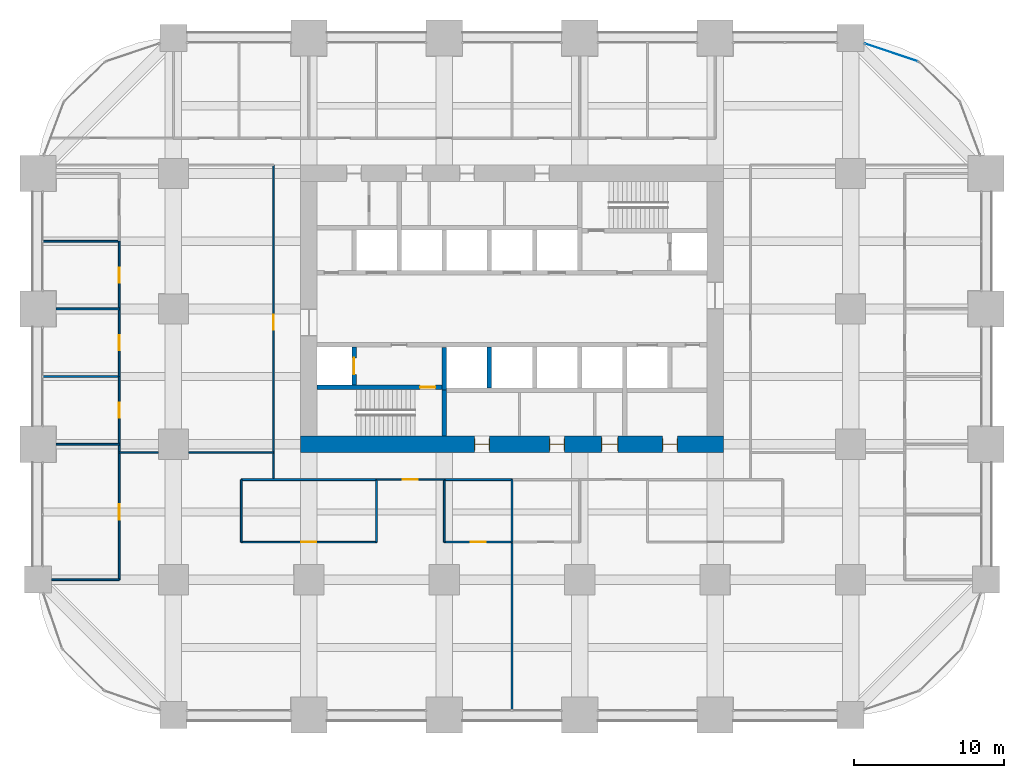
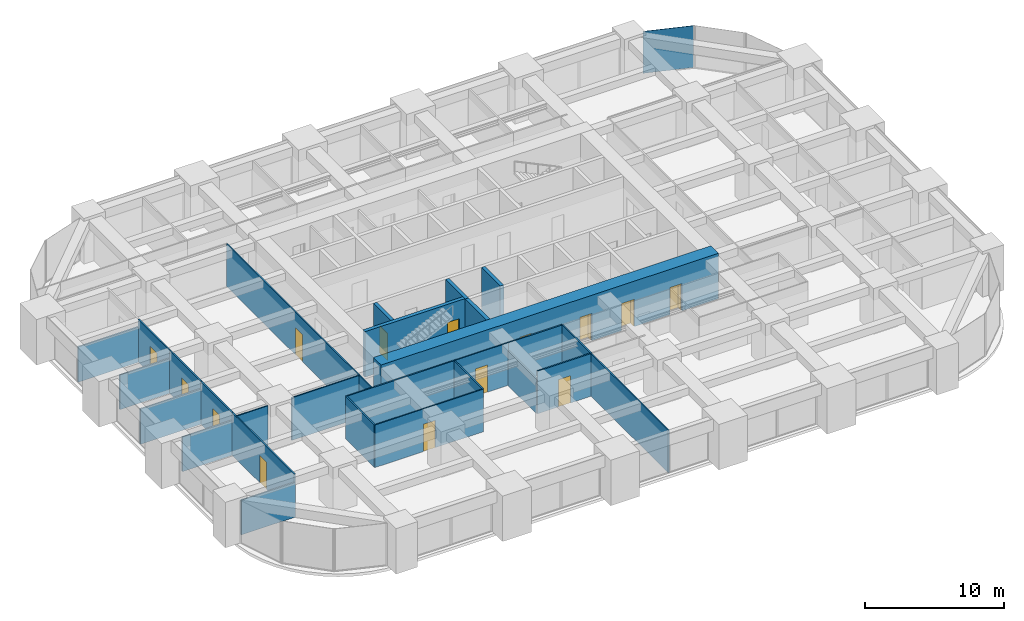
# One storey, part 36 of 41: 28 walls, 14 doors, 1 plate, 14 openings, 1 element without a shape of its own.
"""IFC4 building model written with IfcOpenShell, lengths in metres."""

from ifc_helpers import new_model, si_unit, direction, frame, frame_2d, origin, origin_2d, place, context, subcontext, project, spatial, rectangle, extrude, material, layer, layer_set, type_object, element, fill, aggregate, save


model = new_model("IFC4")

# Units and contexts
model_context = context("Model", 3, precision=1e-05, world=origin(), true_north=direction((0.0, 1.0)))
body_context = subcontext(model_context, "Body", "Model", "MODEL_VIEW")
ifc_project = project(units=[si_unit("LENGTHUNIT", "METRE"), si_unit("AREAUNIT", "SQUARE_METRE"), si_unit("VOLUMEUNIT", "CUBIC_METRE"), si_unit("PLANEANGLEUNIT", "RADIAN"), si_unit("MASSUNIT", "GRAM", prefix="KILO")], contexts=[model_context])

# Site, building, storey
site_placement = place(None, origin())
site = spatial("IfcSite", under=ifc_project, at=site_placement, CompositionType="ELEMENT")
building_placement = place(site_placement, origin())
building = spatial("IfcBuilding", under=site, at=building_placement, Name="Zorevar Civic Tower", CompositionType="ELEMENT")
storey_placement = place(building_placement, frame((0.0, 0.0, 109.0)))
storey = spatial("IfcBuildingStorey", under=building, at=storey_placement, Name="L26", CompositionType="ELEMENT", Elevation=109.0)

# Curtain wall, plate
ifc_material_1 = material(Name="Dark grey solar-control glass in black aluminium frame", Category="aluminium")
curtain_wall_type = type_object("IfcCurtainWallType", Name="Curtain wall CW3 mid zone", PredefinedType="NOTDEFINED", material=ifc_material_1)
curtain_wall_placement = place(storey_placement, origin())
curtain_wall = element("IfcCurtainWall", 1, at=curtain_wall_placement, inside=storey, type_object=curtain_wall_type, Name="CW3 L26", PredefinedType="NOTDEFINED")
ifc_material_2 = material(Name="Dark grey solar-control glass", Category="glass")
ifc_layer_1 = layer(ifc_material_2, 0.030029296875)
ifc_layer_set_1 = layer_set([ifc_layer_1], Name="CW3 panel 30")
plate_type = type_object("IfcPlateType", Name="CW3 panel 30", PredefinedType="CURTAIN_PANEL", material=ifc_layer_set_1)
plate_placement = place(storey_placement, frame((56.7109375, 44.04296875, 0.06005859375), z_axis=(0.0, 0.0, 1.0), x_axis=(-0.947615765406, 0.319412525043, 0.0)))
plate = element("IfcPlate", 2, at=plate_placement, type_object=plate_type, Name="CW3 panel 1.1", PredefinedType="CURTAIN_PANEL", context=body_context, shape_type="SweptSolid", body=[
    extrude(rectangle(XDim=3.7021484375, YDim=0.030029296875, at=origin_2d()), origin(), (0.0, 0.0, 1.0), 3.68994140625),
])
aggregate(curtain_wall, [plate])

# Wall, openings, doors
ifc_material_3 = material(Name="Concrete C50/60", Category="concrete")
ifc_layer_2 = layer(ifc_material_3, 1.10009765625)
ifc_layer_set_2 = layer_set([ifc_layer_2], Name="Core wall 1100")
wall_type_1 = type_object("IfcWallType", Name="Core wall 1100", PredefinedType="SHEAR", material=ifc_layer_set_2)
wall_1_placement = place(storey_placement, frame((17.449951171875, 18.0, 0.0), z_axis=(0.0, 0.0, 1.0), x_axis=(1.0, 0.0, 0.0)))
wall_1 = element("IfcWall", 3, at=wall_1_placement, inside=storey, type_object=wall_type_1, Name="Core wall S L26", PredefinedType="SHEAR", context=body_context, shape_type="SweptSolid", body=[
    extrude(rectangle(XDim=28.10009765625, YDim=1.10009765625, at=frame_2d((14.050048828125, 0.0))), origin(), (0.0, 0.0, 1.0), 4.0),
])
opening_1_placement = place(wall_1_placement, frame((11.550048828125, 0.0, 0.0)))
opening_1 = element("IfcOpeningElement", 4, at=opening_1_placement, cuts=wall_1, Name="Opening L26.03", PredefinedType="OPENING", context=body_context, shape_type="SweptSolid", body=[
    extrude(rectangle(XDim=1.0, YDim=2.39990234375, at=frame_2d((0.5, 1.199951171875))), frame((0.0, 0.56005859375, 0.0), z_axis=(0.0, -1.0, 0.0), x_axis=(1.0, 0.0, 0.0)), (0.0, 0.0, 1.0), 1.1201171875),
])
opening_2_placement = place(wall_1_placement, frame((16.550048828125, 0.0, 0.0)))
opening_2 = element("IfcOpeningElement", 5, at=opening_2_placement, cuts=wall_1, Name="Opening L26.04", PredefinedType="OPENING", context=body_context, shape_type="SweptSolid", body=[
    extrude(rectangle(XDim=1.0, YDim=2.39990234375, at=frame_2d((0.5, 1.199951171875))), frame((0.0, 0.56005859375, 0.0), z_axis=(0.0, -1.0, 0.0), x_axis=(1.0, 0.0, 0.0)), (0.0, 0.0, 1.0), 1.1201171875),
])
opening_3_placement = place(wall_1_placement, frame((20.0, 0.0, 0.0)))
opening_3 = element("IfcOpeningElement", 6, at=opening_3_placement, cuts=wall_1, Name="Opening L26.05", PredefinedType="OPENING", context=body_context, shape_type="SweptSolid", body=[
    extrude(rectangle(XDim=1.10009765625, YDim=2.39990234375, at=frame_2d((0.550048828125, 1.199951171875))), frame((0.0, 0.56005859375, 0.0), z_axis=(0.0, -1.0, 0.0), x_axis=(1.0, 0.0, 0.0)), (0.0, 0.0, 1.0), 1.1201171875),
])
opening_4_placement = place(wall_1_placement, frame((24.050048828125, 0.0, 0.0)))
opening_4 = element("IfcOpeningElement", 7, at=opening_4_placement, cuts=wall_1, Name="Opening L26.06", PredefinedType="OPENING", context=body_context, shape_type="SweptSolid", body=[
    extrude(rectangle(XDim=1.0, YDim=2.39990234375, at=frame_2d((0.5, 1.199951171875))), frame((0.0, 0.56005859375, 0.0), z_axis=(0.0, -1.0, 0.0), x_axis=(1.0, 0.0, 0.0)), (0.0, 0.0, 1.0), 1.1201171875),
])
ifc_material_4 = material(Name="Timber door set", Category="wood")
door_type_1 = type_object("IfcDoorType", Name="Door D1 1000x2400", OperationType="SINGLE_SWING_LEFT", PredefinedType="DOOR", material=ifc_material_4)
door_1_placement = place(opening_1_placement, origin())
door_1 = element("IfcDoor", 8, at=door_1_placement, inside=storey, type_object=door_type_1, Name="Door L26 02", OperationType="SINGLE_SWING_RIGHT", OverallHeight=2.39990234375, OverallWidth=1.0, PredefinedType="DOOR", context=body_context, shape_type="SweptSolid", body=[
    extrude(rectangle(XDim=1.0, YDim=2.39990234375, at=frame_2d((0.5, 1.199951171875))), frame((0.0, 0.02490234375, 0.0), z_axis=(0.0, -1.0, 0.0), x_axis=(1.0, 0.0, 0.0)), (0.0, 0.0, 1.0), 0.050048828125),
    extrude(rectangle(XDim=0.04, YDim=2.39990234375, at=frame_2d((0.02001953125, 1.199951171875))), frame((0.0, 0.39990234375, 0.0), z_axis=(0.0, -1.0, 0.0), x_axis=(1.0, 0.0, 0.0)), (0.0, 0.0, 1.0), 0.800048828125),
    extrude(rectangle(XDim=0.04, YDim=2.39990234375, at=frame_2d((0.97998046875, 1.199951171875))), frame((0.0, 0.39990234375, 0.0), z_axis=(0.0, -1.0, 0.0), x_axis=(1.0, 0.0, 0.0)), (0.0, 0.0, 1.0), 0.800048828125),
    extrude(rectangle(XDim=1.0, YDim=0.04, at=frame_2d((0.5, 2.3798828125))), frame((0.0, 0.39990234375, 0.0), z_axis=(0.0, -1.0, 0.0), x_axis=(1.0, 0.0, 0.0)), (0.0, 0.0, 1.0), 0.800048828125),
])
fill(opening_1, door_1)
door_2_placement = place(opening_2_placement, origin())
door_2 = element("IfcDoor", 9, at=door_2_placement, inside=storey, type_object=door_type_1, Name="Door L26 03", OperationType="SINGLE_SWING_LEFT", OverallHeight=2.39990234375, OverallWidth=1.0, PredefinedType="DOOR", context=body_context, shape_type="SweptSolid", body=[
    extrude(rectangle(XDim=1.0, YDim=2.39990234375, at=frame_2d((0.5, 1.199951171875))), frame((0.0, 0.02490234375, 0.0), z_axis=(0.0, -1.0, 0.0), x_axis=(1.0, 0.0, 0.0)), (0.0, 0.0, 1.0), 0.050048828125),
    extrude(rectangle(XDim=0.04, YDim=2.39990234375, at=frame_2d((0.02001953125, 1.199951171875))), frame((0.0, 0.39990234375, 0.0), z_axis=(0.0, -1.0, 0.0), x_axis=(1.0, 0.0, 0.0)), (0.0, 0.0, 1.0), 0.800048828125),
    extrude(rectangle(XDim=0.04, YDim=2.39990234375, at=frame_2d((0.97998046875, 1.199951171875))), frame((0.0, 0.39990234375, 0.0), z_axis=(0.0, -1.0, 0.0), x_axis=(1.0, 0.0, 0.0)), (0.0, 0.0, 1.0), 0.800048828125),
    extrude(rectangle(XDim=1.0, YDim=0.04, at=frame_2d((0.5, 2.3798828125))), frame((0.0, 0.39990234375, 0.0), z_axis=(0.0, -1.0, 0.0), x_axis=(1.0, 0.0, 0.0)), (0.0, 0.0, 1.0), 0.800048828125),
])
fill(opening_2, door_2)
door_3_placement = place(opening_4_placement, origin())
door_3 = element("IfcDoor", 10, at=door_3_placement, inside=storey, type_object=door_type_1, Name="Door L26 05", OperationType="SINGLE_SWING_LEFT", OverallHeight=2.39990234375, OverallWidth=1.0, PredefinedType="DOOR", context=body_context, shape_type="SweptSolid", body=[
    extrude(rectangle(XDim=1.0, YDim=2.39990234375, at=frame_2d((0.5, 1.199951171875))), frame((0.0, 0.02490234375, 0.0), z_axis=(0.0, -1.0, 0.0), x_axis=(1.0, 0.0, 0.0)), (0.0, 0.0, 1.0), 0.050048828125),
    extrude(rectangle(XDim=0.04, YDim=2.39990234375, at=frame_2d((0.02001953125, 1.199951171875))), frame((0.0, 0.39990234375, 0.0), z_axis=(0.0, -1.0, 0.0), x_axis=(1.0, 0.0, 0.0)), (0.0, 0.0, 1.0), 0.800048828125),
    extrude(rectangle(XDim=0.04, YDim=2.39990234375, at=frame_2d((0.97998046875, 1.199951171875))), frame((0.0, 0.39990234375, 0.0), z_axis=(0.0, -1.0, 0.0), x_axis=(1.0, 0.0, 0.0)), (0.0, 0.0, 1.0), 0.800048828125),
    extrude(rectangle(XDim=1.0, YDim=0.04, at=frame_2d((0.5, 2.3798828125))), frame((0.0, 0.39990234375, 0.0), z_axis=(0.0, -1.0, 0.0), x_axis=(1.0, 0.0, 0.0)), (0.0, 0.0, 1.0), 0.800048828125),
])
fill(opening_4, door_3)
ifc_material_5 = material(Name="Timber door set", Category="wood")
door_type_2 = type_object("IfcDoorType", Name="Door D5 1100x2400", OperationType="SINGLE_SWING_LEFT", PredefinedType="DOOR", material=ifc_material_5)
door_4_placement = place(opening_3_placement, origin())
door_4 = element("IfcDoor", 11, at=door_4_placement, inside=storey, type_object=door_type_2, Name="Door L26 04", OperationType="SINGLE_SWING_LEFT", OverallHeight=2.39990234375, OverallWidth=1.10009765625, PredefinedType="DOOR", context=body_context, shape_type="SweptSolid", body=[
    extrude(rectangle(XDim=1.10009765625, YDim=2.39990234375, at=frame_2d((0.550048828125, 1.199951171875))), frame((0.0, 0.02490234375, 0.0), z_axis=(0.0, -1.0, 0.0), x_axis=(1.0, 0.0, 0.0)), (0.0, 0.0, 1.0), 0.050048828125),
    extrude(rectangle(XDim=0.04, YDim=2.39990234375, at=frame_2d((0.02001953125, 1.199951171875))), frame((0.0, 0.43994140625, 0.0), z_axis=(0.0, -1.0, 0.0), x_axis=(1.0, 0.0, 0.0)), (0.0, 0.0, 1.0), 0.880126953125),
    extrude(rectangle(XDim=0.04, YDim=2.39990234375, at=frame_2d((1.080078125, 1.199951171875))), frame((0.0, 0.43994140625, 0.0), z_axis=(0.0, -1.0, 0.0), x_axis=(1.0, 0.0, 0.0)), (0.0, 0.0, 1.0), 0.880126953125),
    extrude(rectangle(XDim=1.10009765625, YDim=0.04, at=frame_2d((0.550048828125, 2.3798828125))), frame((0.0, 0.43994140625, 0.0), z_axis=(0.0, -1.0, 0.0), x_axis=(1.0, 0.0, 0.0)), (0.0, 0.0, 1.0), 0.880126953125),
])
fill(opening_3, door_4)

# Wall, opening, door
ifc_material_6 = material(Name="Laminated glass in black aluminium frame", Category="aluminium")
ifc_layer_3 = layer(ifc_material_6, 0.10009765625)
ifc_layer_set_3 = layer_set([ifc_layer_3], Name="Glazed partition 100")
wall_type_2 = type_object("IfcWallType", Name="Glazed partition 100", PredefinedType="PARTITIONING", material=ifc_layer_set_3)
wall_2_placement = place(storey_placement, frame((13.5, 11.5, 0.0), z_axis=(0.0, 0.0, 1.0), x_axis=(1.0, 0.0, 0.0)))
wall_2 = element("IfcWall", 12, at=wall_2_placement, inside=storey, type_object=wall_type_2, Name="Glazed partition 100 L26", PredefinedType="PARTITIONING", context=body_context, shape_type="SweptSolid", body=[
    extrude(rectangle(XDim=9.0, YDim=0.10009765625, at=frame_2d((4.5, 0.0))), origin(), (0.0, 0.0, 1.0), 3.75),
])
opening_5_placement = place(wall_2_placement, frame((4.0, 0.0, 0.0)))
opening_5 = element("IfcOpeningElement", 13, at=opening_5_placement, cuts=wall_2, Name="Opening L26.19", PredefinedType="OPENING", context=body_context, shape_type="SweptSolid", body=[
    extrude(rectangle(XDim=1.0, YDim=2.39990234375, at=frame_2d((0.5, 1.199951171875))), frame((0.0, 0.06005859375, 0.0), z_axis=(0.0, -1.0, 0.0), x_axis=(1.0, 0.0, 0.0)), (0.0, 0.0, 1.0), 0.1201171875),
])
ifc_material_7 = material(Name="Timber door set", Category="wood")
door_type_3 = type_object("IfcDoorType", Name="Glazed door GD1 1000x2400", OperationType="SINGLE_SWING_LEFT", PredefinedType="DOOR", material=ifc_material_7)
door_5_placement = place(opening_5_placement, origin())
door_5 = element("IfcDoor", 14, at=door_5_placement, inside=storey, type_object=door_type_3, Name="Door L26 D1", OperationType="SINGLE_SWING_LEFT", OverallHeight=2.39990234375, OverallWidth=1.0, PredefinedType="DOOR", context=body_context, shape_type="SweptSolid", body=[
    extrude(rectangle(XDim=1.0, YDim=2.39990234375, at=frame_2d((0.5, 1.199951171875))), frame((0.0, 0.02001953125, 0.0), z_axis=(0.0, -1.0, 0.0), x_axis=(1.0, 0.0, 0.0)), (0.0, 0.0, 1.0), 0.0400390625),
])
fill(opening_5, door_5)

wall_3_placement = place(storey_placement, frame((22.5, 15.64990234375, 0.0), z_axis=(0.0, 0.0, 1.0), x_axis=(1.0, 0.0, 0.0)))
wall_3 = element("IfcWall", 15, at=wall_3_placement, inside=storey, type_object=wall_type_2, Name="Glazed partition 100 L26", PredefinedType="PARTITIONING", context=body_context, shape_type="SweptSolid", body=[
    extrude(rectangle(XDim=4.5, YDim=0.10009765625, at=frame_2d((2.25, 0.0))), origin(), (0.0, 0.0, 1.0), 3.75),
])
opening_6_placement = place(wall_3_placement, frame((1.75, 0.0, 0.0)))
opening_6 = element("IfcOpeningElement", 16, at=opening_6_placement, cuts=wall_3, Name="Opening L26.21", PredefinedType="OPENING", context=body_context, shape_type="SweptSolid", body=[
    extrude(rectangle(XDim=1.0, YDim=2.39990234375, at=frame_2d((0.5, 1.199951171875))), frame((0.0, 0.06005859375, 0.0), z_axis=(0.0, -1.0, 0.0), x_axis=(1.0, 0.0, 0.0)), (0.0, 0.0, 1.0), 0.1201171875),
])
door_6_placement = place(opening_6_placement, origin())
door_6 = element("IfcDoor", 17, at=door_6_placement, inside=storey, type_object=door_type_3, Name="Door L26 D1", OperationType="SINGLE_SWING_RIGHT", OverallHeight=2.39990234375, OverallWidth=1.0, PredefinedType="DOOR", context=body_context, shape_type="SweptSolid", body=[
    extrude(rectangle(XDim=1.0, YDim=2.39990234375, at=frame_2d((0.5, 1.199951171875))), frame((0.0, 0.02001953125, 0.0), z_axis=(0.0, -1.0, 0.0), x_axis=(1.0, 0.0, 0.0)), (0.0, 0.0, 1.0), 0.0400390625),
])
fill(opening_6, door_6)

# Walls
wall_4_placement = place(storey_placement, frame((5.389892578125, 17.449951171875, 0.0), z_axis=(0.0, 0.0, 1.0), x_axis=(1.0, 0.0, 0.0)))
element("IfcWall", 18, at=wall_4_placement, inside=storey, type_object=wall_type_2, Name="Glazed partition 100 L26", PredefinedType="PARTITIONING", context=body_context, shape_type="SweptSolid", body=[
    extrude(rectangle(XDim=2.610107421875, YDim=0.10009765625, at=frame_2d((1.30517578125, 0.0))), origin(), (0.0, 0.0, 1.0), 3.75),
])
wall_5_placement = place(storey_placement, frame((10.0, 17.449951171875, 0.0), z_axis=(0.0, 0.0, 1.0), x_axis=(1.0, 0.0, 0.0)))
element("IfcWall", 19, at=wall_5_placement, inside=storey, type_object=wall_type_2, Name="Glazed partition 100 L26", PredefinedType="PARTITIONING", context=body_context, shape_type="SweptSolid", body=[
    extrude(rectangle(XDim=5.64990234375, YDim=0.10009765625, at=frame_2d((2.824951171875, 0.0))), origin(), (0.0, 0.0, 1.0), 3.75),
])

# Wall, opening, door
wall_6_placement = place(storey_placement, frame((15.64990234375, 15.64990234375, 0.0), z_axis=(0.0, 0.0, 1.0), x_axis=(0.0, 1.0, 0.0)))
wall_6 = element("IfcWall", 20, at=wall_6_placement, inside=storey, type_object=wall_type_2, Name="Glazed partition 100 L26", PredefinedType="PARTITIONING", context=body_context, shape_type="SweptSolid", body=[
    extrude(rectangle(XDim=20.900146484375, YDim=0.10009765625, at=frame_2d((10.4501953125, 0.0))), origin(), (0.0, 0.0, 1.0), 3.75),
])
opening_7_placement = place(wall_6_placement, frame((9.949951171875, 0.0, 0.0)))
opening_7 = element("IfcOpeningElement", 21, at=opening_7_placement, cuts=wall_6, Name="Opening L26.36", PredefinedType="OPENING", context=body_context, shape_type="SweptSolid", body=[
    extrude(rectangle(XDim=1.0, YDim=2.39990234375, at=frame_2d((0.5, 1.199951171875))), frame((0.0, 0.06005859375, 0.0), z_axis=(0.0, -1.0, 0.0), x_axis=(1.0, 0.0, 0.0)), (0.0, 0.0, 1.0), 0.1201171875),
])
door_7_placement = place(opening_7_placement, origin())
door_7 = element("IfcDoor", 22, at=door_7_placement, inside=storey, type_object=door_type_3, Name="Door L26 D1", OperationType="SINGLE_SWING_RIGHT", OverallHeight=2.39990234375, OverallWidth=1.0, PredefinedType="DOOR", context=body_context, shape_type="SweptSolid", body=[
    extrude(rectangle(XDim=1.0, YDim=2.39990234375, at=frame_2d((0.5, 1.199951171875))), frame((0.0, 0.02001953125, 0.0), z_axis=(0.0, -1.0, 0.0), x_axis=(1.0, 0.0, 0.0)), (0.0, 0.0, 1.0), 0.0400390625),
])
fill(opening_7, door_7)

# Wall
wall_7_placement = place(storey_placement, frame((31.5, 0.31005859375, 0.0), z_axis=(0.0, 0.0, 1.0), x_axis=(0.0, 1.0, 0.0)))
element("IfcWall", 23, at=wall_7_placement, inside=storey, type_object=wall_type_2, Name="Glazed partition 100 L26", PredefinedType="PARTITIONING", context=body_context, shape_type="SweptSolid", body=[
    extrude(rectangle(XDim=11.18994140625, YDim=0.10009765625, at=frame_2d((5.594970703125, 0.0))), origin(), (0.0, 0.0, 1.0), 3.75),
])

# Wall, opening, door
ifc_material_8 = material(Name="Concrete C40/50", Category="concrete")
ifc_layer_4 = layer(ifc_material_8, 0.300048828125)
ifc_layer_set_4 = layer_set([ifc_layer_4], Name="Inner core wall 300")
wall_type_3 = type_object("IfcWallType", Name="Inner core wall 300", PredefinedType="SHEAR", material=ifc_layer_set_4)
wall_8_placement = place(storey_placement, frame((18.550048828125, 21.800048828125, 0.0), z_axis=(0.0, 0.0, 1.0), x_axis=(1.0, 0.0, 0.0)))
wall_8 = element("IfcWall", 24, at=wall_8_placement, inside=storey, type_object=wall_type_3, Name="Inner core wall S00 L26", PredefinedType="SHEAR", context=body_context, shape_type="SweptSolid", body=[
    extrude(rectangle(XDim=8.300048828125, YDim=0.300048828125, at=frame_2d((4.14990234375, 0.0))), origin(), (0.0, 0.0, 1.0), 4.0),
])
opening_8_placement = place(wall_8_placement, frame((6.85009765625, 0.0, 0.0)))
opening_8 = element("IfcOpeningElement", 25, at=opening_8_placement, cuts=wall_8, Name="Opening L26.11", PredefinedType="OPENING", context=body_context, shape_type="SweptSolid", body=[
    extrude(rectangle(XDim=1.0, YDim=2.39990234375, at=frame_2d((0.5, 1.199951171875))), frame((0.0, 0.159912109375, 0.0), z_axis=(0.0, -1.0, 0.0), x_axis=(1.0, 0.0, 0.0)), (0.0, 0.0, 1.0), 0.320068359375),
])
ifc_material_9 = material(Name="Steel door set", Category="steel")
door_type_4 = type_object("IfcDoorType", Name="Fire door FD1 1000x2400", OperationType="SINGLE_SWING_LEFT", PredefinedType="DOOR", material=ifc_material_9)
door_8_placement = place(opening_8_placement, origin())
door_8 = element("IfcDoor", 26, at=door_8_placement, inside=storey, type_object=door_type_4, Name="Door L26 10", OperationType="SINGLE_SWING_RIGHT", OverallHeight=2.39990234375, OverallWidth=1.0, PredefinedType="DOOR", context=body_context, shape_type="SweptSolid", body=[
    extrude(rectangle(XDim=1.0, YDim=2.39990234375, at=frame_2d((0.5, 1.199951171875))), frame((0.0, 0.030029296875, 0.0), z_axis=(0.0, -1.0, 0.0), x_axis=(1.0, 0.0, 0.0)), (0.0, 0.0, 1.0), 0.06005859375),
])
fill(opening_8, door_8)

# Wall
wall_9_placement = place(storey_placement, frame((27.0, 18.550048828125, 0.0), z_axis=(0.0, 0.0, 1.0), x_axis=(0.0, 1.0, 0.0)))
element("IfcWall", 27, at=wall_9_placement, inside=storey, type_object=wall_type_3, Name="Inner core wall S01 L26", PredefinedType="SHEAR", context=body_context, shape_type="SweptSolid", body=[
    extrude(rectangle(XDim=3.050048828125, YDim=0.300048828125, at=frame_2d((1.52490234375, 0.0))), origin(), (0.0, 0.0, 1.0), 4.0),
])

# Wall, opening, door
wall_10_placement = place(storey_placement, frame((21.0, 21.949951171875, 0.0), z_axis=(0.0, 0.0, 1.0), x_axis=(0.0, 1.0, 0.0)))
wall_10 = element("IfcWall", 28, at=wall_10_placement, inside=storey, type_object=wall_type_3, Name="Inner core wall S02 L26", PredefinedType="SHEAR", context=body_context, shape_type="SweptSolid", body=[
    extrude(rectangle(XDim=2.5, YDim=0.300048828125, at=frame_2d((1.25, 0.0))), origin(), (0.0, 0.0, 1.0), 4.0),
])
opening_9_placement = place(wall_10_placement, frame((0.699951171875, 0.0, 0.0)))
opening_9 = element("IfcOpeningElement", 29, at=opening_9_placement, cuts=wall_10, Name="Opening L26.FL1", PredefinedType="OPENING", context=body_context, shape_type="SweptSolid", body=[
    extrude(rectangle(XDim=1.10009765625, YDim=2.39990234375, at=frame_2d((0.550048828125, 1.199951171875))), frame((0.0, 0.159912109375, 0.0), z_axis=(0.0, -1.0, 0.0), x_axis=(1.0, 0.0, 0.0)), (0.0, 0.0, 1.0), 0.320068359375),
])
ifc_material_10 = material(Name="Steel door set", Category="steel")
door_type_5 = type_object("IfcDoorType", Name="Firefighting lift landing door LD3 1100x2400", OperationType="DOUBLE_DOOR_SLIDING", PredefinedType="DOOR", material=ifc_material_10)
door_9_placement = place(opening_9_placement, origin())
door_9 = element("IfcDoor", 30, at=door_9_placement, inside=storey, type_object=door_type_5, Name="Landing door FL1 L26", OperationType="DOUBLE_DOOR_SLIDING", OverallHeight=2.39990234375, OverallWidth=1.10009765625, PredefinedType="DOOR", context=body_context, shape_type="SweptSolid", body=[
    extrude(rectangle(XDim=1.10009765625, YDim=2.39990234375, at=frame_2d((0.550048828125, 1.199951171875))), frame((0.0, 0.030029296875, 0.0), z_axis=(0.0, -1.0, 0.0), x_axis=(1.0, 0.0, 0.0)), (0.0, 0.0, 1.0), 0.06005859375),
])
fill(opening_9, door_9)

# Walls
wall_11_placement = place(storey_placement, frame((30.0, 21.75, 0.0), z_axis=(0.0, 0.0, 1.0), x_axis=(0.0, 1.0, 0.0)))
element("IfcWall", 31, at=wall_11_placement, inside=storey, type_object=wall_type_3, Name="Inner core wall S05 L26", PredefinedType="SHEAR", context=body_context, shape_type="SweptSolid", body=[
    extrude(rectangle(XDim=2.699951171875, YDim=0.300048828125, at=frame_2d((1.35009765625, 0.0))), origin(), (0.0, 0.0, 1.0), 4.0),
])
wall_12_placement = place(storey_placement, frame((27.0, 21.60009765625, 0.0), z_axis=(0.0, 0.0, 1.0), x_axis=(0.0, 1.0, 0.0)))
element("IfcWall", 32, at=wall_12_placement, inside=storey, type_object=wall_type_3, Name="Inner core wall S10 L26", PredefinedType="SHEAR", context=body_context, shape_type="SweptSolid", body=[
    extrude(rectangle(XDim=2.849853515625, YDim=0.300048828125, at=frame_2d((1.4248046875, 0.0))), origin(), (0.0, 0.0, 1.0), 4.0),
])
ifc_material_11 = material(Name="Gypsum board on steel studs", Category="steel")
ifc_layer_5 = layer(ifc_material_11, 0.1201171875)
ifc_layer_set_5 = layer_set([ifc_layer_5], Name="Partition 120")
wall_type_4 = type_object("IfcWallType", Name="Partition 120", PredefinedType="PARTITIONING", material=ifc_layer_set_5)
wall_13_placement = place(storey_placement, frame((0.89990234375, 9.0, 0.0), z_axis=(0.0, 0.0, 1.0), x_axis=(1.0, 0.0, 0.0)))
element("IfcWall", 33, at=wall_13_placement, inside=storey, type_object=wall_type_4, Name="Partition 120 L26", PredefinedType="PARTITIONING", context=body_context, shape_type="SweptSolid", body=[
    extrude(rectangle(XDim=4.5, YDim=0.1201171875, at=frame_2d((2.25, 0.0))), origin(), (0.0, 0.0, 1.0), 3.050048828125),
])

# Wall, opening, door
wall_14_placement = place(storey_placement, frame((27.0, 11.5, 0.0), z_axis=(0.0, 0.0, 1.0), x_axis=(1.0, 0.0, 0.0)))
wall_14 = element("IfcWall", 34, at=wall_14_placement, inside=storey, type_object=wall_type_4, Name="Partition 120 L26", PredefinedType="PARTITIONING", context=body_context, shape_type="SweptSolid", body=[
    extrude(rectangle(XDim=4.5, YDim=0.1201171875, at=frame_2d((2.25, 0.0))), origin(), (0.0, 0.0, 1.0), 3.75),
])
opening_10_placement = place(wall_14_placement, frame((1.75, 0.0, 0.0)))
opening_10 = element("IfcOpeningElement", 35, at=opening_10_placement, cuts=wall_14, Name="Opening L26.17", PredefinedType="OPENING", context=body_context, shape_type="SweptSolid", body=[
    extrude(rectangle(XDim=1.0, YDim=2.39990234375, at=frame_2d((0.5, 1.199951171875))), frame((0.0, 0.070068359375, 0.0), z_axis=(0.0, -1.0, 0.0), x_axis=(1.0, 0.0, 0.0)), (0.0, 0.0, 1.0), 0.14013671875),
])
door_10_placement = place(opening_10_placement, origin())
door_10 = element("IfcDoor", 36, at=door_10_placement, inside=storey, type_object=door_type_1, Name="Door L26 D1", OperationType="SINGLE_SWING_RIGHT", OverallHeight=2.39990234375, OverallWidth=1.0, PredefinedType="DOOR", context=body_context, shape_type="SweptSolid", body=[
    extrude(rectangle(XDim=1.0, YDim=2.39990234375, at=frame_2d((0.5, 1.199951171875))), frame((0.0, 0.02490234375, 0.0), z_axis=(0.0, -1.0, 0.0), x_axis=(1.0, 0.0, 0.0)), (0.0, 0.0, 1.0), 0.050048828125),
])
fill(opening_10, door_10)

# Walls
wall_15_placement = place(storey_placement, frame((13.5, 15.64990234375, 0.0), z_axis=(0.0, 0.0, 1.0), x_axis=(1.0, 0.0, 0.0)))
element("IfcWall", 37, at=wall_15_placement, inside=storey, type_object=wall_type_4, Name="Partition 120 L26", PredefinedType="PARTITIONING", context=body_context, shape_type="SweptSolid", body=[
    extrude(rectangle(XDim=9.0, YDim=0.1201171875, at=frame_2d((4.5, 0.0))), origin(), (0.0, 0.0, 1.0), 3.75),
])
wall_16_placement = place(storey_placement, frame((27.0, 15.64990234375, 0.0), z_axis=(0.0, 0.0, 1.0), x_axis=(1.0, 0.0, 0.0)))
element("IfcWall", 38, at=wall_16_placement, inside=storey, type_object=wall_type_4, Name="Partition 120 L26", PredefinedType="PARTITIONING", context=body_context, shape_type="SweptSolid", body=[
    extrude(rectangle(XDim=4.5, YDim=0.1201171875, at=frame_2d((2.25, 0.0))), origin(), (0.0, 0.0, 1.0), 3.75),
])
wall_17_placement = place(storey_placement, frame((1.199951171875, 18.0, 0.0), z_axis=(0.0, 0.0, 1.0), x_axis=(1.0, 0.0, 0.0)))
element("IfcWall", 39, at=wall_17_placement, inside=storey, type_object=wall_type_4, Name="Partition 120 L26", PredefinedType="PARTITIONING", context=body_context, shape_type="SweptSolid", body=[
    extrude(rectangle(XDim=4.199951171875, YDim=0.1201171875, at=frame_2d((2.10009765625, 0.0))), origin(), (0.0, 0.0, 1.0), 3.050048828125),
])
wall_18_placement = place(storey_placement, frame((0.31005859375, 22.5, 0.0), z_axis=(0.0, 0.0, 1.0), x_axis=(1.0, 0.0, 0.0)))
element("IfcWall", 40, at=wall_18_placement, inside=storey, type_object=wall_type_4, Name="Partition 120 L26", PredefinedType="PARTITIONING", context=body_context, shape_type="SweptSolid", body=[
    extrude(rectangle(XDim=5.08984375, YDim=0.1201171875, at=frame_2d((2.544921875, 0.0))), origin(), (0.0, 0.0, 1.0), 3.10009765625),
])
wall_19_placement = place(storey_placement, frame((1.199951171875, 27.0, 0.0), z_axis=(0.0, 0.0, 1.0), x_axis=(1.0, 0.0, 0.0)))
element("IfcWall", 41, at=wall_19_placement, inside=storey, type_object=wall_type_4, Name="Partition 120 L26", PredefinedType="PARTITIONING", context=body_context, shape_type="SweptSolid", body=[
    extrude(rectangle(XDim=4.199951171875, YDim=0.1201171875, at=frame_2d((2.10009765625, 0.0))), origin(), (0.0, 0.0, 1.0), 3.050048828125),
])
wall_20_placement = place(storey_placement, frame((0.31005859375, 31.5, 0.0), z_axis=(0.0, 0.0, 1.0), x_axis=(1.0, 0.0, 0.0)))
element("IfcWall", 42, at=wall_20_placement, inside=storey, type_object=wall_type_4, Name="Partition 120 L26", PredefinedType="PARTITIONING", context=body_context, shape_type="SweptSolid", body=[
    extrude(rectangle(XDim=5.08984375, YDim=0.1201171875, at=frame_2d((2.544921875, 0.0))), origin(), (0.0, 0.0, 1.0), 3.10009765625),
])

# Wall, opening, door
wall_21_placement = place(storey_placement, frame((5.39990234375, 9.0, 0.0), z_axis=(0.0, 0.0, 1.0), x_axis=(0.0, 1.0, 0.0)))
wall_21 = element("IfcWall", 43, at=wall_21_placement, inside=storey, type_object=wall_type_4, Name="Partition 120 L26", PredefinedType="PARTITIONING", context=body_context, shape_type="SweptSolid", body=[
    extrude(rectangle(XDim=9.0, YDim=0.1201171875, at=frame_2d((4.5, 0.0))), origin(), (0.0, 0.0, 1.0), 3.75),
])
opening_11_placement = place(wall_21_placement, frame((4.0, 0.0, 0.0)))
opening_11 = element("IfcOpeningElement", 44, at=opening_11_placement, cuts=wall_21, Name="Opening L26.31", PredefinedType="OPENING", context=body_context, shape_type="SweptSolid", body=[
    extrude(rectangle(XDim=1.0, YDim=2.39990234375, at=frame_2d((0.5, 1.199951171875))), frame((0.0, 0.070068359375, 0.0), z_axis=(0.0, -1.0, 0.0), x_axis=(1.0, 0.0, 0.0)), (0.0, 0.0, 1.0), 0.14013671875),
])
door_11_placement = place(opening_11_placement, origin())
door_11 = element("IfcDoor", 45, at=door_11_placement, inside=storey, type_object=door_type_1, Name="Door L26 D1", OperationType="SINGLE_SWING_RIGHT", OverallHeight=2.39990234375, OverallWidth=1.0, PredefinedType="DOOR", context=body_context, shape_type="SweptSolid", body=[
    extrude(rectangle(XDim=1.0, YDim=2.39990234375, at=frame_2d((0.5, 1.199951171875))), frame((0.0, 0.02490234375, 0.0), z_axis=(0.0, -1.0, 0.0), x_axis=(1.0, 0.0, 0.0)), (0.0, 0.0, 1.0), 0.050048828125),
])
fill(opening_11, door_11)

wall_22_placement = place(storey_placement, frame((5.39990234375, 18.0, 0.0), z_axis=(0.0, 0.0, 1.0), x_axis=(0.0, 1.0, 0.0)))
wall_22 = element("IfcWall", 46, at=wall_22_placement, inside=storey, type_object=wall_type_4, Name="Partition 120 L26", PredefinedType="PARTITIONING", context=body_context, shape_type="SweptSolid", body=[
    extrude(rectangle(XDim=4.5, YDim=0.1201171875, at=frame_2d((2.25, 0.0))), origin(), (0.0, 0.0, 1.0), 3.75),
])
opening_12_placement = place(wall_22_placement, frame((1.75, 0.0, 0.0)))
opening_12 = element("IfcOpeningElement", 47, at=opening_12_placement, cuts=wall_22, Name="Opening L26.32", PredefinedType="OPENING", context=body_context, shape_type="SweptSolid", body=[
    extrude(rectangle(XDim=1.0, YDim=2.39990234375, at=frame_2d((0.5, 1.199951171875))), frame((0.0, 0.070068359375, 0.0), z_axis=(0.0, -1.0, 0.0), x_axis=(1.0, 0.0, 0.0)), (0.0, 0.0, 1.0), 0.14013671875),
])
door_12_placement = place(opening_12_placement, origin())
door_12 = element("IfcDoor", 48, at=door_12_placement, inside=storey, type_object=door_type_1, Name="Door L26 D1", OperationType="SINGLE_SWING_LEFT", OverallHeight=2.39990234375, OverallWidth=1.0, PredefinedType="DOOR", context=body_context, shape_type="SweptSolid", body=[
    extrude(rectangle(XDim=1.0, YDim=2.39990234375, at=frame_2d((0.5, 1.199951171875))), frame((0.0, 0.02490234375, 0.0), z_axis=(0.0, -1.0, 0.0), x_axis=(1.0, 0.0, 0.0)), (0.0, 0.0, 1.0), 0.050048828125),
])
fill(opening_12, door_12)

wall_23_placement = place(storey_placement, frame((5.39990234375, 22.5, 0.0), z_axis=(0.0, 0.0, 1.0), x_axis=(0.0, 1.0, 0.0)))
wall_23 = element("IfcWall", 49, at=wall_23_placement, inside=storey, type_object=wall_type_4, Name="Partition 120 L26", PredefinedType="PARTITIONING", context=body_context, shape_type="SweptSolid", body=[
    extrude(rectangle(XDim=4.5, YDim=0.1201171875, at=frame_2d((2.25, 0.0))), origin(), (0.0, 0.0, 1.0), 3.75),
])
opening_13_placement = place(wall_23_placement, frame((1.75, 0.0, 0.0)))
opening_13 = element("IfcOpeningElement", 50, at=opening_13_placement, cuts=wall_23, Name="Opening L26.33", PredefinedType="OPENING", context=body_context, shape_type="SweptSolid", body=[
    extrude(rectangle(XDim=1.0, YDim=2.39990234375, at=frame_2d((0.5, 1.199951171875))), frame((0.0, 0.070068359375, 0.0), z_axis=(0.0, -1.0, 0.0), x_axis=(1.0, 0.0, 0.0)), (0.0, 0.0, 1.0), 0.14013671875),
])
door_13_placement = place(opening_13_placement, origin())
door_13 = element("IfcDoor", 51, at=door_13_placement, inside=storey, type_object=door_type_1, Name="Door L26 D1", OperationType="SINGLE_SWING_LEFT", OverallHeight=2.39990234375, OverallWidth=1.0, PredefinedType="DOOR", context=body_context, shape_type="SweptSolid", body=[
    extrude(rectangle(XDim=1.0, YDim=2.39990234375, at=frame_2d((0.5, 1.199951171875))), frame((0.0, 0.02490234375, 0.0), z_axis=(0.0, -1.0, 0.0), x_axis=(1.0, 0.0, 0.0)), (0.0, 0.0, 1.0), 0.050048828125),
])
fill(opening_13, door_13)

wall_24_placement = place(storey_placement, frame((5.39990234375, 27.0, 0.0), z_axis=(0.0, 0.0, 1.0), x_axis=(0.0, 1.0, 0.0)))
wall_24 = element("IfcWall", 52, at=wall_24_placement, inside=storey, type_object=wall_type_4, Name="Partition 120 L26", PredefinedType="PARTITIONING", context=body_context, shape_type="SweptSolid", body=[
    extrude(rectangle(XDim=4.5, YDim=0.1201171875, at=frame_2d((2.25, 0.0))), origin(), (0.0, 0.0, 1.0), 3.75),
])
opening_14_placement = place(wall_24_placement, frame((1.75, 0.0, 0.0)))
opening_14 = element("IfcOpeningElement", 53, at=opening_14_placement, cuts=wall_24, Name="Opening L26.34", PredefinedType="OPENING", context=body_context, shape_type="SweptSolid", body=[
    extrude(rectangle(XDim=1.0, YDim=2.39990234375, at=frame_2d((0.5, 1.199951171875))), frame((0.0, 0.070068359375, 0.0), z_axis=(0.0, -1.0, 0.0), x_axis=(1.0, 0.0, 0.0)), (0.0, 0.0, 1.0), 0.14013671875),
])
door_14_placement = place(opening_14_placement, origin())
door_14 = element("IfcDoor", 54, at=door_14_placement, inside=storey, type_object=door_type_1, Name="Door L26 D1", OperationType="SINGLE_SWING_RIGHT", OverallHeight=2.39990234375, OverallWidth=1.0, PredefinedType="DOOR", context=body_context, shape_type="SweptSolid", body=[
    extrude(rectangle(XDim=1.0, YDim=2.39990234375, at=frame_2d((0.5, 1.199951171875))), frame((0.0, 0.02490234375, 0.0), z_axis=(0.0, -1.0, 0.0), x_axis=(1.0, 0.0, 0.0)), (0.0, 0.0, 1.0), 0.050048828125),
])
fill(opening_14, door_14)

# Walls
for number, where, z_axis, x_axis, name in (
    (55, (13.5, 11.5, 0.0), (0.0, 0.0, 1.0), (0.0, 1.0, 0.0), "Partition 120 L26"),
    (56, (22.5, 11.5, 0.0), (0.0, 0.0, 1.0), (0.0, 1.0, 0.0), "Partition 120 L26"),
):
    element("IfcWall", number, at=place(storey_placement, frame(where, z_axis=z_axis, x_axis=x_axis)), inside=storey, type_object=wall_type_4, Name=name, PredefinedType="PARTITIONING", context=body_context, shape_type="SweptSolid", body=[
        extrude(rectangle(XDim=4.14990234375, YDim=0.1201171875, at=frame_2d((2.074951171875, 0.0))), origin(), (0.0, 0.0, 1.0), 3.75),
    ])
wall_25_placement = place(storey_placement, frame((27.0, 11.5, 0.0), z_axis=(0.0, 0.0, 1.0), x_axis=(0.0, 1.0, 0.0)))
element("IfcWall", 57, at=wall_25_placement, inside=storey, type_object=wall_type_4, Name="Partition 120 L26", PredefinedType="PARTITIONING", context=body_context, shape_type="SweptSolid", body=[
    extrude(rectangle(XDim=4.14990234375, YDim=0.1201171875, at=frame_2d((2.074951171875, 0.0))), origin(), (0.0, 0.0, 1.0), 3.050048828125),
])
wall_26_placement = place(storey_placement, frame((31.5, 11.5, 0.0), z_axis=(0.0, 0.0, 1.0), x_axis=(0.0, 1.0, 0.0)))
element("IfcWall", 58, at=wall_26_placement, inside=storey, type_object=wall_type_4, Name="Partition 120 L26", PredefinedType="PARTITIONING", context=body_context, shape_type="SweptSolid", body=[
    extrude(rectangle(XDim=4.14990234375, YDim=0.1201171875, at=frame_2d((2.074951171875, 0.0))), origin(), (0.0, 0.0, 1.0), 3.75),
])

save(model, "model.ifc")
